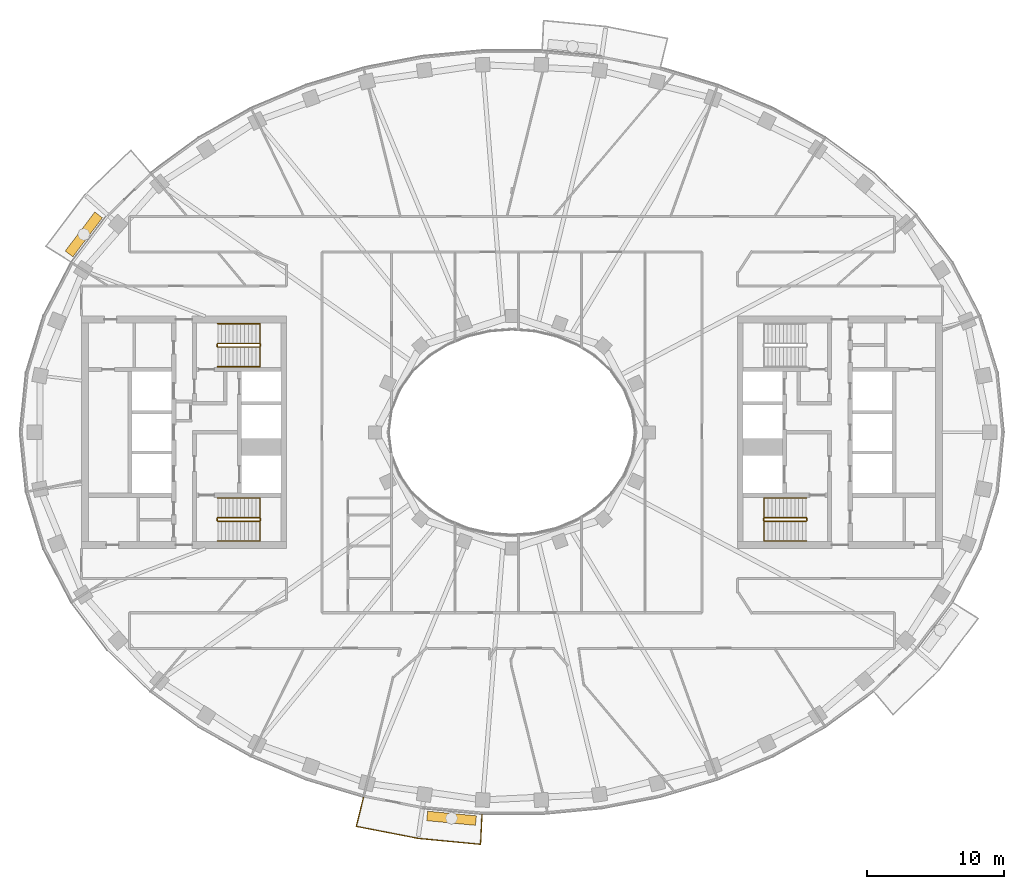
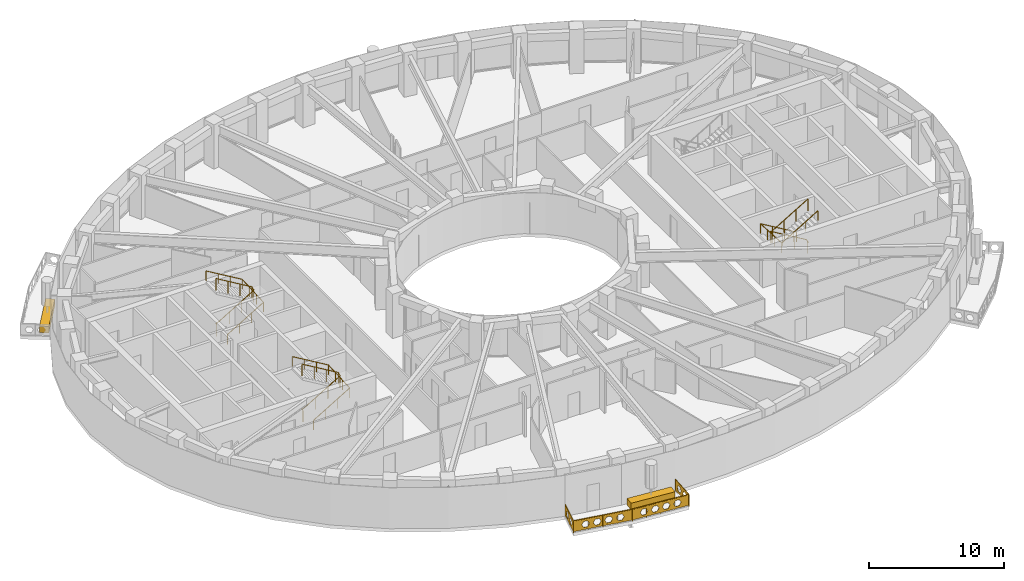
# One storey, part 14 of 16: 7 railings, 2 coverings.
"""IFC4 building model written with IfcOpenShell, lengths in metres."""

from ifc_helpers import new_model, si_unit, direction, frame, origin, origin_2d, place, context, subcontext, project, spatial, polyline, rectangle, outline, extrude, material, type_object, element, save


model = new_model("IFC4")

# Units and contexts
model_context = context("Model", 3, precision=1e-05, world=origin(), true_north=direction((0.0, 1.0)))
body_context = subcontext(model_context, "Body", "Model", "MODEL_VIEW")
ifc_project = project(units=[si_unit("LENGTHUNIT", "METRE"), si_unit("AREAUNIT", "SQUARE_METRE"), si_unit("VOLUMEUNIT", "CUBIC_METRE"), si_unit("PLANEANGLEUNIT", "RADIAN"), si_unit("MASSUNIT", "GRAM", prefix="KILO")], contexts=[model_context])

# Site, building, storey
site_placement = place(None, origin())
site = spatial("IfcSite", under=ifc_project, at=site_placement, CompositionType="ELEMENT")
building_placement = place(site_placement, origin())
building = spatial("IfcBuilding", under=site, at=building_placement, Name="Noorbagh Ring Tower", CompositionType="ELEMENT")
storey_placement = place(building_placement, frame((0.0, 0.0, 273.5)))
storey = spatial("IfcBuildingStorey", under=building, at=storey_placement, Name="L58", CompositionType="ELEMENT", Elevation=273.5)

# Railings
ifc_material_1 = material(Name="Stainless steel", Category="steel")
railing_type_1 = type_object("IfcRailingType", Name="CORE-STAIR-GUARD", PredefinedType="GUARDRAIL", material=ifc_material_1)
railing_1_placement = place(storey_placement, frame((-21.580078125, 6.300048828125, 0.0)))
element("IfcRailing", 1, at=railing_1_placement, inside=storey, type_object=railing_type_1, Name="L58 ST1 stair guard", PredefinedType="GUARDRAIL", context=body_context, shape_type="SweptSolid", body=[
    extrude(rectangle(XDim=0.048095703125, YDim=0.048095703125, at=origin_2d()), frame((0.0, 0.0, 1.076171875), z_axis=(0.0, 1.0, 0.0), x_axis=(-1.0, 0.0, 0.0)), (0.0, 0.0, 1.0), 0.14990234375),
    extrude(rectangle(XDim=0.048095703125, YDim=0.048095703125, at=origin_2d()), frame((0.0, 0.14990234375, 1.076171875), z_axis=(0.188775798145, -0.754182335027, 0.628945707965), x_axis=(0.970072785993, 0.242814311512, 0.0)), (0.0, 0.0, 1.0), 0.26513671875),
    extrude(rectangle(XDim=0.048095703125, YDim=0.048095703125, at=origin_2d()), frame((0.050048828125, -0.050048828125, 1.24267578125), z_axis=(0.859308565015, 0.0, 0.511457515432), x_axis=(0.0, 1.0, 0.0)), (0.0, 0.0, 1.0), 3.58447265625),
    extrude(rectangle(XDim=0.048095703125, YDim=0.048095703125, at=origin_2d()), frame((3.130126953125, -0.050048828125, 3.076171875), z_axis=(0.707106781187, 0.707106781187, 0.0), x_axis=(-0.707106781187, 0.707106781187, 0.0)), (0.0, 0.0, 1.0), 0.07080078125),
    extrude(rectangle(XDim=0.048095703125, YDim=0.048095703125, at=origin_2d()), frame((3.18017578125, 0.0, 3.076171875), z_axis=(0.0, 1.0, 0.0), x_axis=(-1.0, 0.0, 0.0)), (0.0, 0.0, 1.0), 0.14990234375),
    extrude(rectangle(XDim=0.048095703125, YDim=0.048095703125, at=origin_2d()), frame((3.18017578125, 0.14990234375, 3.076171875), z_axis=(-0.27628659633, 0.27628659633, 0.920506074601), x_axis=(-0.707106781187, -0.707106781187, 0.0)), (0.0, 0.0, 1.0), 0.18115234375),
    extrude(rectangle(XDim=0.048095703125, YDim=0.048095703125, at=origin_2d()), frame((3.130126953125, 0.199951171875, 3.24267578125), z_axis=(-0.859308565015, 0.0, 0.511457515432), x_axis=(0.0, -1.0, 0.0)), (0.0, 0.0, 1.0), 3.58447265625),
    extrude(rectangle(XDim=0.0419921875, YDim=0.0419921875, at=origin_2d()), origin(), (0.0, 0.0, 1.0), 1.052001953125),
    extrude(rectangle(XDim=0.0419921875, YDim=0.0419921875, at=origin_2d()), frame((1.07666015625, -0.050048828125, 0.77783203125)), (0.0, 0.0, 1.0), 1.052001953125),
    extrude(rectangle(XDim=0.0419921875, YDim=0.0419921875, at=origin_2d()), frame((2.103515625, -0.050048828125, 1.388916015625)), (0.0, 0.0, 1.0), 1.052001953125),
    extrude(rectangle(XDim=0.0419921875, YDim=0.0419921875, at=origin_2d()), frame((3.130126953125, -0.050048828125, 2.0)), (0.0, 0.0, 1.0), 1.052001953125),
    extrude(rectangle(XDim=0.0419921875, YDim=0.0419921875, at=origin_2d()), frame((3.130126953125, 0.199951171875, 2.166748046875)), (0.0, 0.0, 1.0), 1.052001953125),
    extrude(rectangle(XDim=0.0419921875, YDim=0.0419921875, at=origin_2d()), frame((2.103515625, 0.199951171875, 2.77783203125)), (0.0, 0.0, 1.0), 1.052001953125),
    extrude(rectangle(XDim=0.0419921875, YDim=0.0419921875, at=origin_2d()), frame((1.07666015625, 0.199951171875, 3.388916015625)), (0.0, 0.0, 1.0), 1.052001953125),
    extrude(rectangle(XDim=0.0419921875, YDim=0.0419921875, at=origin_2d()), frame((0.050048828125, 0.199951171875, 4.0)), (0.0, 0.0, 1.0), 1.052001953125),
])
railing_2_placement = place(storey_placement, frame((-21.580078125, -6.449951171875, 0.0)))
element("IfcRailing", 2, at=railing_2_placement, inside=storey, type_object=railing_type_1, Name="L58 ST2 stair guard", PredefinedType="GUARDRAIL", context=body_context, shape_type="SweptSolid", body=[
    extrude(rectangle(XDim=0.048095703125, YDim=0.048095703125, at=origin_2d()), frame((0.0, 0.0, 1.076171875), z_axis=(0.0, 1.0, 0.0), x_axis=(-1.0, 0.0, 0.0)), (0.0, 0.0, 1.0), 0.14990234375),
    extrude(rectangle(XDim=0.048095703125, YDim=0.048095703125, at=origin_2d()), frame((0.0, 0.14990234375, 1.076171875), z_axis=(0.188775798145, -0.754182335027, 0.628945707965), x_axis=(0.970072785993, 0.242814311512, 0.0)), (0.0, 0.0, 1.0), 0.26513671875),
    extrude(rectangle(XDim=0.048095703125, YDim=0.048095703125, at=origin_2d()), frame((0.050048828125, -0.050048828125, 1.24267578125), z_axis=(0.859308565015, 0.0, 0.511457515432), x_axis=(0.0, 1.0, 0.0)), (0.0, 0.0, 1.0), 3.58447265625),
    extrude(rectangle(XDim=0.048095703125, YDim=0.048095703125, at=origin_2d()), frame((3.130126953125, -0.050048828125, 3.076171875), z_axis=(0.707106781187, 0.707106781187, 0.0), x_axis=(-0.707106781187, 0.707106781187, 0.0)), (0.0, 0.0, 1.0), 0.07080078125),
    extrude(rectangle(XDim=0.048095703125, YDim=0.048095703125, at=origin_2d()), frame((3.18017578125, 0.0, 3.076171875), z_axis=(0.0, 1.0, 0.0), x_axis=(-1.0, 0.0, 0.0)), (0.0, 0.0, 1.0), 0.14990234375),
    extrude(rectangle(XDim=0.048095703125, YDim=0.048095703125, at=origin_2d()), frame((3.18017578125, 0.14990234375, 3.076171875), z_axis=(-0.27628659633, 0.27628659633, 0.920506074601), x_axis=(-0.707106781187, -0.707106781187, 0.0)), (0.0, 0.0, 1.0), 0.18115234375),
    extrude(rectangle(XDim=0.048095703125, YDim=0.048095703125, at=origin_2d()), frame((3.130126953125, 0.199951171875, 3.24267578125), z_axis=(-0.859308565015, 0.0, 0.511457515432), x_axis=(0.0, -1.0, 0.0)), (0.0, 0.0, 1.0), 3.58447265625),
    extrude(rectangle(XDim=0.0419921875, YDim=0.0419921875, at=origin_2d()), origin(), (0.0, 0.0, 1.0), 1.052001953125),
    extrude(rectangle(XDim=0.0419921875, YDim=0.0419921875, at=origin_2d()), frame((1.07666015625, -0.050048828125, 0.77783203125)), (0.0, 0.0, 1.0), 1.052001953125),
    extrude(rectangle(XDim=0.0419921875, YDim=0.0419921875, at=origin_2d()), frame((2.103515625, -0.050048828125, 1.388916015625)), (0.0, 0.0, 1.0), 1.052001953125),
    extrude(rectangle(XDim=0.0419921875, YDim=0.0419921875, at=origin_2d()), frame((3.130126953125, -0.050048828125, 2.0)), (0.0, 0.0, 1.0), 1.052001953125),
    extrude(rectangle(XDim=0.0419921875, YDim=0.0419921875, at=origin_2d()), frame((3.130126953125, 0.199951171875, 2.166748046875)), (0.0, 0.0, 1.0), 1.052001953125),
    extrude(rectangle(XDim=0.0419921875, YDim=0.0419921875, at=origin_2d()), frame((2.103515625, 0.199951171875, 2.77783203125)), (0.0, 0.0, 1.0), 1.052001953125),
    extrude(rectangle(XDim=0.0419921875, YDim=0.0419921875, at=origin_2d()), frame((1.07666015625, 0.199951171875, 3.388916015625)), (0.0, 0.0, 1.0), 1.052001953125),
    extrude(rectangle(XDim=0.0419921875, YDim=0.0419921875, at=origin_2d()), frame((0.050048828125, 0.199951171875, 4.0)), (0.0, 0.0, 1.0), 1.052001953125),
])
railing_3_placement = place(storey_placement, frame((21.580078125, -6.300048828125, 0.0)))
element("IfcRailing", 3, at=railing_3_placement, inside=storey, type_object=railing_type_1, Name="L58 ST4 stair guard", PredefinedType="GUARDRAIL", context=body_context, shape_type="SweptSolid", body=[
    extrude(rectangle(XDim=0.048095703125, YDim=0.048095703125, at=origin_2d()), frame((0.0, 0.0, 1.076171875), z_axis=(0.0, -1.0, 0.0), x_axis=(1.0, 0.0, 0.0)), (0.0, 0.0, 1.0), 0.14990234375),
    extrude(rectangle(XDim=0.048095703125, YDim=0.048095703125, at=origin_2d()), frame((0.0, -0.14990234375, 1.076171875), z_axis=(-0.188775798145, 0.754182335027, 0.628945707965), x_axis=(-0.970072785993, -0.242814311512, 0.0)), (0.0, 0.0, 1.0), 0.26513671875),
    extrude(rectangle(XDim=0.048095703125, YDim=0.048095703125, at=origin_2d()), frame((-0.050048828125, 0.050048828125, 1.24267578125), z_axis=(-0.859308565015, 0.0, 0.511457515432), x_axis=(0.0, -1.0, 0.0)), (0.0, 0.0, 1.0), 3.58447265625),
    extrude(rectangle(XDim=0.048095703125, YDim=0.048095703125, at=origin_2d()), frame((-3.130126953125, 0.050048828125, 3.076171875), z_axis=(-0.707106781187, -0.707106781187, 0.0), x_axis=(0.707106781187, -0.707106781187, 0.0)), (0.0, 0.0, 1.0), 0.07080078125),
    extrude(rectangle(XDim=0.048095703125, YDim=0.048095703125, at=origin_2d()), frame((-3.18017578125, 0.0, 3.076171875), z_axis=(0.0, -1.0, 0.0), x_axis=(1.0, 0.0, 0.0)), (0.0, 0.0, 1.0), 0.14990234375),
    extrude(rectangle(XDim=0.048095703125, YDim=0.048095703125, at=origin_2d()), frame((-3.18017578125, -0.14990234375, 3.076171875), z_axis=(0.27628659633, -0.27628659633, 0.920506074601), x_axis=(0.707106781187, 0.707106781187, 0.0)), (0.0, 0.0, 1.0), 0.18115234375),
    extrude(rectangle(XDim=0.048095703125, YDim=0.048095703125, at=origin_2d()), frame((-3.130126953125, -0.199951171875, 3.24267578125), z_axis=(0.859308565015, 0.0, 0.511457515432), x_axis=(0.0, 1.0, 0.0)), (0.0, 0.0, 1.0), 3.58447265625),
    extrude(rectangle(XDim=0.0419921875, YDim=0.0419921875, at=origin_2d()), origin(), (0.0, 0.0, 1.0), 1.052001953125),
    extrude(rectangle(XDim=0.0419921875, YDim=0.0419921875, at=origin_2d()), frame((-1.07666015625, 0.050048828125, 0.77783203125)), (0.0, 0.0, 1.0), 1.052001953125),
    extrude(rectangle(XDim=0.0419921875, YDim=0.0419921875, at=origin_2d()), frame((-2.103515625, 0.050048828125, 1.388916015625)), (0.0, 0.0, 1.0), 1.052001953125),
    extrude(rectangle(XDim=0.0419921875, YDim=0.0419921875, at=origin_2d()), frame((-3.130126953125, 0.050048828125, 2.0)), (0.0, 0.0, 1.0), 1.052001953125),
    extrude(rectangle(XDim=0.0419921875, YDim=0.0419921875, at=origin_2d()), frame((-3.130126953125, -0.199951171875, 2.166748046875)), (0.0, 0.0, 1.0), 1.052001953125),
    extrude(rectangle(XDim=0.0419921875, YDim=0.0419921875, at=origin_2d()), frame((-2.103515625, -0.199951171875, 2.77783203125)), (0.0, 0.0, 1.0), 1.052001953125),
    extrude(rectangle(XDim=0.0419921875, YDim=0.0419921875, at=origin_2d()), frame((-1.07666015625, -0.199951171875, 3.388916015625)), (0.0, 0.0, 1.0), 1.052001953125),
    extrude(rectangle(XDim=0.0419921875, YDim=0.0419921875, at=origin_2d()), frame((-0.050048828125, -0.199951171875, 4.0)), (0.0, 0.0, 1.0), 1.052001953125),
])
ifc_material_2 = material(Name="Stainless steel", Category="steel")
railing_type_2 = type_object("IfcRailingType", Name="CORE-STAIR-HANDRAIL", PredefinedType="HANDRAIL", material=ifc_material_2)
railing_4_placement = place(storey_placement, frame((-21.530029296875, 4.800048828125, 0.166748046875)))
element("IfcRailing", 4, at=railing_4_placement, inside=storey, type_object=railing_type_2, Name="L58 ST1 stair handrail", PredefinedType="HANDRAIL", context=body_context, shape_type="SweptSolid", body=[
    extrude(rectangle(XDim=0.048095703125, YDim=0.048095703125, at=origin_2d()), frame((0.0, 0.0, 0.8759765625), z_axis=(0.859308565015, 0.0, 0.511457515432), x_axis=(0.0, 1.0, 0.0)), (0.0, 0.0, 1.0), 3.58447265625),
    extrude(rectangle(XDim=0.048095703125, YDim=0.048095703125, at=origin_2d()), frame((3.080078125, 0.0, 2.708984375), z_axis=(0.0, 0.998601747152, 0.052863509014), x_axis=(-1.0, 0.0, 0.0)), (0.0, 0.0, 1.0), 3.154296875),
    extrude(rectangle(XDim=0.048095703125, YDim=0.048095703125, at=origin_2d()), frame((3.080078125, 3.14990234375, 2.8759765625), z_axis=(-0.859308565015, 0.0, 0.511457515432), x_axis=(0.0, -1.0, 0.0)), (0.0, 0.0, 1.0), 3.58447265625),
    extrude(rectangle(XDim=0.0419921875, YDim=0.0419921875, at=origin_2d()), origin(), (0.0, 0.0, 1.0), 0.851806640625),
    extrude(rectangle(XDim=0.0419921875, YDim=0.0419921875, at=origin_2d()), frame((1.026611328125, 0.0, 0.611083984375)), (0.0, 0.0, 1.0), 0.851806640625),
    extrude(rectangle(XDim=0.0419921875, YDim=0.0419921875, at=origin_2d()), frame((2.053466796875, 0.0, 1.22216796875)), (0.0, 0.0, 1.0), 0.851806640625),
    extrude(rectangle(XDim=0.0419921875, YDim=0.0419921875, at=origin_2d()), frame((3.080078125, 0.0, 1.833251953125)), (0.0, 0.0, 1.0), 0.851806640625),
    extrude(rectangle(XDim=0.0419921875, YDim=0.0419921875, at=origin_2d()), frame((3.080078125, 1.050048828125, 1.888916015625)), (0.0, 0.0, 1.0), 0.851806640625),
    extrude(rectangle(XDim=0.0419921875, YDim=0.0419921875, at=origin_2d()), frame((3.080078125, 2.099853515625, 1.9443359375)), (0.0, 0.0, 1.0), 0.851806640625),
    extrude(rectangle(XDim=0.0419921875, YDim=0.0419921875, at=origin_2d()), frame((3.080078125, 3.14990234375, 2.0)), (0.0, 0.0, 1.0), 0.851806640625),
    extrude(rectangle(XDim=0.0419921875, YDim=0.0419921875, at=origin_2d()), frame((2.053466796875, 3.14990234375, 2.611083984375)), (0.0, 0.0, 1.0), 0.851806640625),
    extrude(rectangle(XDim=0.0419921875, YDim=0.0419921875, at=origin_2d()), frame((1.026611328125, 3.14990234375, 3.22216796875)), (0.0, 0.0, 1.0), 0.851806640625),
    extrude(rectangle(XDim=0.0419921875, YDim=0.0419921875, at=origin_2d()), frame((0.0, 3.14990234375, 3.833251953125)), (0.0, 0.0, 1.0), 0.851806640625),
])
railing_5_placement = place(storey_placement, frame((-21.530029296875, -7.949951171875, 0.166748046875)))
element("IfcRailing", 5, at=railing_5_placement, inside=storey, type_object=railing_type_2, Name="L58 ST2 stair handrail", PredefinedType="HANDRAIL", context=body_context, shape_type="SweptSolid", body=[
    extrude(rectangle(XDim=0.048095703125, YDim=0.048095703125, at=origin_2d()), frame((0.0, 0.0, 0.8759765625), z_axis=(0.859308565015, 0.0, 0.511457515432), x_axis=(0.0, 1.0, 0.0)), (0.0, 0.0, 1.0), 3.58447265625),
    extrude(rectangle(XDim=0.048095703125, YDim=0.048095703125, at=origin_2d()), frame((3.080078125, 0.0, 2.708984375), z_axis=(0.0, 0.998601747152, 0.052863509014), x_axis=(-1.0, 0.0, 0.0)), (0.0, 0.0, 1.0), 3.154296875),
    extrude(rectangle(XDim=0.048095703125, YDim=0.048095703125, at=origin_2d()), frame((3.080078125, 3.14990234375, 2.8759765625), z_axis=(-0.859308565015, 0.0, 0.511457515432), x_axis=(0.0, -1.0, 0.0)), (0.0, 0.0, 1.0), 3.58447265625),
    extrude(rectangle(XDim=0.0419921875, YDim=0.0419921875, at=origin_2d()), origin(), (0.0, 0.0, 1.0), 0.851806640625),
    extrude(rectangle(XDim=0.0419921875, YDim=0.0419921875, at=origin_2d()), frame((1.026611328125, 0.0, 0.611083984375)), (0.0, 0.0, 1.0), 0.851806640625),
    extrude(rectangle(XDim=0.0419921875, YDim=0.0419921875, at=origin_2d()), frame((2.053466796875, 0.0, 1.22216796875)), (0.0, 0.0, 1.0), 0.851806640625),
    extrude(rectangle(XDim=0.0419921875, YDim=0.0419921875, at=origin_2d()), frame((3.080078125, 0.0, 1.833251953125)), (0.0, 0.0, 1.0), 0.851806640625),
    extrude(rectangle(XDim=0.0419921875, YDim=0.0419921875, at=origin_2d()), frame((3.080078125, 1.050048828125, 1.888916015625)), (0.0, 0.0, 1.0), 0.851806640625),
    extrude(rectangle(XDim=0.0419921875, YDim=0.0419921875, at=origin_2d()), frame((3.080078125, 2.099853515625, 1.9443359375)), (0.0, 0.0, 1.0), 0.851806640625),
    extrude(rectangle(XDim=0.0419921875, YDim=0.0419921875, at=origin_2d()), frame((3.080078125, 3.14990234375, 2.0)), (0.0, 0.0, 1.0), 0.851806640625),
    extrude(rectangle(XDim=0.0419921875, YDim=0.0419921875, at=origin_2d()), frame((2.053466796875, 3.14990234375, 2.611083984375)), (0.0, 0.0, 1.0), 0.851806640625),
    extrude(rectangle(XDim=0.0419921875, YDim=0.0419921875, at=origin_2d()), frame((1.026611328125, 3.14990234375, 3.22216796875)), (0.0, 0.0, 1.0), 0.851806640625),
    extrude(rectangle(XDim=0.0419921875, YDim=0.0419921875, at=origin_2d()), frame((0.0, 3.14990234375, 3.833251953125)), (0.0, 0.0, 1.0), 0.851806640625),
])
railing_6_placement = place(storey_placement, frame((21.530029296875, -4.800048828125, 0.166748046875)))
element("IfcRailing", 6, at=railing_6_placement, inside=storey, type_object=railing_type_2, Name="L58 ST4 stair handrail", PredefinedType="HANDRAIL", context=body_context, shape_type="SweptSolid", body=[
    extrude(rectangle(XDim=0.048095703125, YDim=0.048095703125, at=origin_2d()), frame((0.0, 0.0, 0.8759765625), z_axis=(-0.859308565015, 0.0, 0.511457515432), x_axis=(0.0, -1.0, 0.0)), (0.0, 0.0, 1.0), 3.58447265625),
    extrude(rectangle(XDim=0.048095703125, YDim=0.048095703125, at=origin_2d()), frame((-3.080078125, 0.0, 2.708984375), z_axis=(0.0, -0.998601747152, 0.052863509014), x_axis=(1.0, 0.0, 0.0)), (0.0, 0.0, 1.0), 3.154296875),
    extrude(rectangle(XDim=0.048095703125, YDim=0.048095703125, at=origin_2d()), frame((-3.080078125, -3.14990234375, 2.8759765625), z_axis=(0.859308565015, 0.0, 0.511457515432), x_axis=(0.0, 1.0, 0.0)), (0.0, 0.0, 1.0), 3.58447265625),
    extrude(rectangle(XDim=0.0419921875, YDim=0.0419921875, at=origin_2d()), origin(), (0.0, 0.0, 1.0), 0.851806640625),
    extrude(rectangle(XDim=0.0419921875, YDim=0.0419921875, at=origin_2d()), frame((-1.026611328125, 0.0, 0.611083984375)), (0.0, 0.0, 1.0), 0.851806640625),
    extrude(rectangle(XDim=0.0419921875, YDim=0.0419921875, at=origin_2d()), frame((-2.053466796875, 0.0, 1.22216796875)), (0.0, 0.0, 1.0), 0.851806640625),
    extrude(rectangle(XDim=0.0419921875, YDim=0.0419921875, at=origin_2d()), frame((-3.080078125, 0.0, 1.833251953125)), (0.0, 0.0, 1.0), 0.851806640625),
    extrude(rectangle(XDim=0.0419921875, YDim=0.0419921875, at=origin_2d()), frame((-3.080078125, -1.050048828125, 1.888916015625)), (0.0, 0.0, 1.0), 0.851806640625),
    extrude(rectangle(XDim=0.0419921875, YDim=0.0419921875, at=origin_2d()), frame((-3.080078125, -2.099853515625, 1.9443359375)), (0.0, 0.0, 1.0), 0.851806640625),
    extrude(rectangle(XDim=0.0419921875, YDim=0.0419921875, at=origin_2d()), frame((-3.080078125, -3.14990234375, 2.0)), (0.0, 0.0, 1.0), 0.851806640625),
    extrude(rectangle(XDim=0.0419921875, YDim=0.0419921875, at=origin_2d()), frame((-2.053466796875, -3.14990234375, 2.611083984375)), (0.0, 0.0, 1.0), 0.851806640625),
    extrude(rectangle(XDim=0.0419921875, YDim=0.0419921875, at=origin_2d()), frame((-1.026611328125, -3.14990234375, 3.22216796875)), (0.0, 0.0, 1.0), 0.851806640625),
    extrude(rectangle(XDim=0.0419921875, YDim=0.0419921875, at=origin_2d()), frame((0.0, -3.14990234375, 3.833251953125)), (0.0, 0.0, 1.0), 0.851806640625),
])
ifc_material_3 = material(Name="Steel S275 black powder-coated", Category="steel")
railing_type_3 = type_object("IfcRailingType", Name="ENV-GUARD", PredefinedType="GUARDRAIL", material=ifc_material_3)
railing_7_placement = place(storey_placement, frame((-10.865234375, -26.6943359375, 0.0)))
element("IfcRailing", 7, at=railing_7_placement, inside=storey, type_object=railing_type_3, Name="Balcony guard BS03", PredefinedType="GUARDRAIL", context=body_context, shape_type="SweptSolid", body=[
    extrude(rectangle(XDim=0.048095703125, YDim=0.048095703125, at=origin_2d()), frame((0.0, 0.0, 1.076171875), z_axis=(-0.239848558412, -0.970810315679, 0.0), x_axis=(0.970810315679, -0.239848558412, 0.0)), (0.0, 0.0, 1.0), 2.20263671875),
    extrude(rectangle(XDim=0.048095703125, YDim=0.048095703125, at=origin_2d()), frame((-0.5283203125, -2.138427734375, 1.076171875), z_axis=(0.981625049064, -0.1908199755, 0.0), x_axis=(0.1908199755, 0.981625049064, 0.0)), (0.0, 0.0, 1.0), 4.603271484375),
    extrude(rectangle(XDim=0.048095703125, YDim=0.048095703125, at=origin_2d()), frame((3.990478515625, -3.016845703125, 1.076171875), z_axis=(0.995477555764, -0.094997031379, 0.0), x_axis=(0.094997031379, 0.995477555764, 0.0)), (0.0, 0.0, 1.0), 4.59765625),
    extrude(rectangle(XDim=0.048095703125, YDim=0.048095703125, at=origin_2d()), frame((8.5673828125, -3.45361328125, 1.076171875), z_axis=(0.047554616162, 0.998868639252, 0.0), x_axis=(-0.998868639252, 0.047554616162, 0.0)), (0.0, 0.0, 1.0), 2.202392578125),
    extrude(rectangle(XDim=0.0419921875, YDim=0.0419921875, at=origin_2d()), origin(), (0.0, 0.0, 1.0), 1.052001953125),
    extrude(rectangle(XDim=0.0419921875, YDim=0.0419921875, at=origin_2d()), frame((-0.26416015625, -1.0693359375, 0.0)), (0.0, 0.0, 1.0), 1.052001953125),
    extrude(rectangle(XDim=0.0419921875, YDim=0.0419921875, at=origin_2d()), frame((-0.5283203125, -2.138427734375, 0.0)), (0.0, 0.0, 1.0), 1.052001953125),
    extrude(rectangle(XDim=0.0419921875, YDim=0.0419921875, at=origin_2d()), frame((0.601318359375, -2.35791015625, 0.0)), (0.0, 0.0, 1.0), 1.052001953125),
    extrude(rectangle(XDim=0.0419921875, YDim=0.0419921875, at=origin_2d()), frame((1.73095703125, -2.57763671875, 0.0)), (0.0, 0.0, 1.0), 1.052001953125),
    extrude(rectangle(XDim=0.0419921875, YDim=0.0419921875, at=origin_2d()), frame((2.86083984375, -2.79736328125, 0.0)), (0.0, 0.0, 1.0), 1.052001953125),
    extrude(rectangle(XDim=0.0419921875, YDim=0.0419921875, at=origin_2d()), frame((3.990478515625, -3.016845703125, 0.0)), (0.0, 0.0, 1.0), 1.052001953125),
    extrude(rectangle(XDim=0.0419921875, YDim=0.0419921875, at=origin_2d()), frame((5.134765625, -3.1259765625, 0.0)), (0.0, 0.0, 1.0), 1.052001953125),
    extrude(rectangle(XDim=0.0419921875, YDim=0.0419921875, at=origin_2d()), frame((6.27880859375, -3.2353515625, 0.0)), (0.0, 0.0, 1.0), 1.052001953125),
    extrude(rectangle(XDim=0.0419921875, YDim=0.0419921875, at=origin_2d()), frame((7.423095703125, -3.344482421875, 0.0)), (0.0, 0.0, 1.0), 1.052001953125),
    extrude(rectangle(XDim=0.0419921875, YDim=0.0419921875, at=origin_2d()), frame((8.5673828125, -3.45361328125, 0.0)), (0.0, 0.0, 1.0), 1.052001953125),
    extrude(rectangle(XDim=0.0419921875, YDim=0.0419921875, at=origin_2d()), frame((8.61962890625, -2.353515625, 0.0)), (0.0, 0.0, 1.0), 1.052001953125),
    extrude(rectangle(XDim=0.0419921875, YDim=0.0419921875, at=origin_2d()), frame((8.672119140625, -1.253662109375, 0.0)), (0.0, 0.0, 1.0), 1.052001953125),
    extrude(outline(polyline([(0.0, 0.10009765625), (2.20263671875, 0.10009765625), (2.20263671875, 1.031982421875), (0.0, 1.031982421875), (0.0, 0.10009765625)]), holes=[polyline([(0.96142578125, 0.56591796875), (0.806396484375, 0.83447265625), (0.496337890625, 0.83447265625), (0.34130859375, 0.56591796875), (0.496337890625, 0.297607421875), (0.806396484375, 0.297607421875), (0.96142578125, 0.56591796875)]), polyline([(1.861328125, 0.56591796875), (1.706298828125, 0.83447265625), (1.396240234375, 0.83447265625), (1.241455078125, 0.56591796875), (1.396240234375, 0.297607421875), (1.706298828125, 0.297607421875), (1.861328125, 0.56591796875)])]), frame((0.009765625, -0.00244140625, 0.0), z_axis=(-0.970810315679, 0.239848558412, 0.0), x_axis=(-0.239848558412, -0.970810315679, 0.0)), (0.0, 0.0, 1.0), 0.02001953125),
    extrude(outline(polyline([(0.0, 0.10009765625), (4.603271484375, 0.10009765625), (4.603271484375, 1.031982421875), (0.0, 1.031982421875), (0.0, 0.10009765625)]), holes=[polyline([(1.26171875, 0.56591796875), (1.106689453125, 0.83447265625), (0.796630859375, 0.83447265625), (0.6416015625, 0.56591796875), (0.796630859375, 0.297607421875), (1.106689453125, 0.297607421875), (1.26171875, 0.56591796875)]), polyline([(2.16162109375, 0.56591796875), (2.006591796875, 0.83447265625), (1.69677734375, 0.83447265625), (1.541748046875, 0.56591796875), (1.69677734375, 0.297607421875), (2.006591796875, 0.297607421875), (2.16162109375, 0.56591796875)]), polyline([(3.061767578125, 0.56591796875), (2.90673828125, 0.83447265625), (2.5966796875, 0.83447265625), (2.441650390625, 0.56591796875), (2.5966796875, 0.297607421875), (2.90673828125, 0.297607421875), (3.061767578125, 0.56591796875)]), polyline([(3.961669921875, 0.56591796875), (3.806640625, 0.83447265625), (3.49658203125, 0.83447265625), (3.341796875, 0.56591796875), (3.49658203125, 0.297607421875), (3.806640625, 0.297607421875), (3.961669921875, 0.56591796875)])]), frame((-0.5263671875, -2.128662109375, 0.0), z_axis=(-0.1908199755, -0.981625049064, 0.0), x_axis=(0.981625049064, -0.1908199755, 0.0)), (0.0, 0.0, 1.0), 0.02001953125),
    extrude(outline(polyline([(0.0, 0.10009765625), (4.59765625, 0.10009765625), (4.59765625, 1.031982421875), (0.0, 1.031982421875), (0.0, 0.10009765625)]), holes=[polyline([(1.2587890625, 0.56591796875), (1.103759765625, 0.83447265625), (0.7939453125, 0.83447265625), (0.638916015625, 0.56591796875), (0.7939453125, 0.297607421875), (1.103759765625, 0.297607421875), (1.2587890625, 0.56591796875)]), polyline([(2.158935546875, 0.56591796875), (2.00390625, 0.83447265625), (1.69384765625, 0.83447265625), (1.538818359375, 0.56591796875), (1.69384765625, 0.297607421875), (2.00390625, 0.297607421875), (2.158935546875, 0.56591796875)]), polyline([(3.058837890625, 0.56591796875), (2.90380859375, 0.83447265625), (2.59375, 0.83447265625), (2.43896484375, 0.56591796875), (2.59375, 0.297607421875), (2.90380859375, 0.297607421875), (3.058837890625, 0.56591796875)]), polyline([(3.958740234375, 0.56591796875), (3.803955078125, 0.83447265625), (3.493896484375, 0.83447265625), (3.3388671875, 0.56591796875), (3.493896484375, 0.297607421875), (3.803955078125, 0.297607421875), (3.958740234375, 0.56591796875)])]), frame((3.991455078125, -3.0068359375, 0.0), z_axis=(-0.094997031379, -0.995477555764, 0.0), x_axis=(0.995477555764, -0.094997031379, 0.0)), (0.0, 0.0, 1.0), 0.02001953125),
    extrude(outline(polyline([(0.0, 0.10009765625), (2.202392578125, 0.10009765625), (2.202392578125, 1.031982421875), (0.0, 1.031982421875), (0.0, 0.10009765625)]), holes=[polyline([(0.961181640625, 0.56591796875), (0.80615234375, 0.83447265625), (0.496337890625, 0.83447265625), (0.34130859375, 0.56591796875), (0.496337890625, 0.297607421875), (0.80615234375, 0.297607421875), (0.961181640625, 0.56591796875)]), polyline([(1.861328125, 0.56591796875), (1.706298828125, 0.83447265625), (1.396240234375, 0.83447265625), (1.2412109375, 0.56591796875), (1.396240234375, 0.297607421875), (1.706298828125, 0.297607421875), (1.861328125, 0.56591796875)])]), frame((8.557373046875, -3.453125, 0.0), z_axis=(0.998868639252, -0.047554616162, 0.0), x_axis=(0.047554616162, 0.998868639252, 0.0)), (0.0, 0.0, 1.0), 0.02001953125),
])

# Coverings
ifc_material_4 = material(Name="Concrete C30/37 planter with soil", Category="concrete")
covering_type = type_object("IfcCoveringType", Name="ENV-PLANTER", PredefinedType="CLADDING", material=ifc_material_4)
covering_1_placement = place(storey_placement, frame((-31.329833984375, 14.4833984375, 0.0), z_axis=(0.0, 0.0, 1.0), x_axis=(-0.604020184358, -0.796969018776, 0.0)))
element("IfcCovering", 8, at=covering_1_placement, inside=storey, type_object=covering_type, Name="PLANTER BN06", ObjectType="PLANTER", PredefinedType="CLADDING", context=body_context, shape_type="SweptSolid", body=[
    extrude(rectangle(XDim=3.583251953125, YDim=0.699951171875, at=origin_2d()), origin(), (0.0, 0.0, 1.0), 0.60009765625),
])
covering_2_placement = place(storey_placement, frame((-4.423828125, -28.2373046875, 0.0), z_axis=(0.0, 0.0, 1.0), x_axis=(0.995476497323, -0.095008122171, 0.0)))
element("IfcCovering", 9, at=covering_2_placement, inside=storey, type_object=covering_type, Name="PLANTER BS03", ObjectType="PLANTER", PredefinedType="CLADDING", context=body_context, shape_type="SweptSolid", body=[
    extrude(rectangle(XDim=3.58642578125, YDim=0.699951171875, at=origin_2d()), origin(), (0.0, 0.0, 1.0), 0.60009765625),
])

save(model, "model.ifc")
